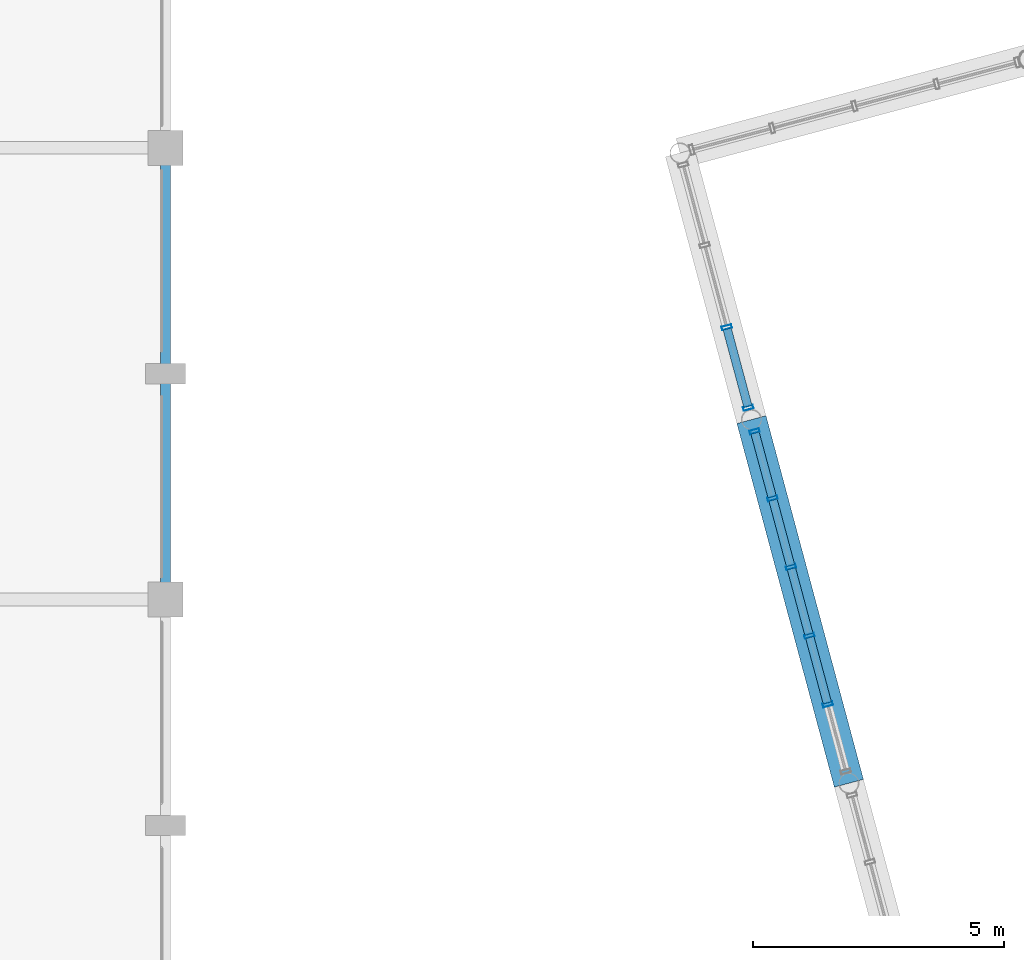
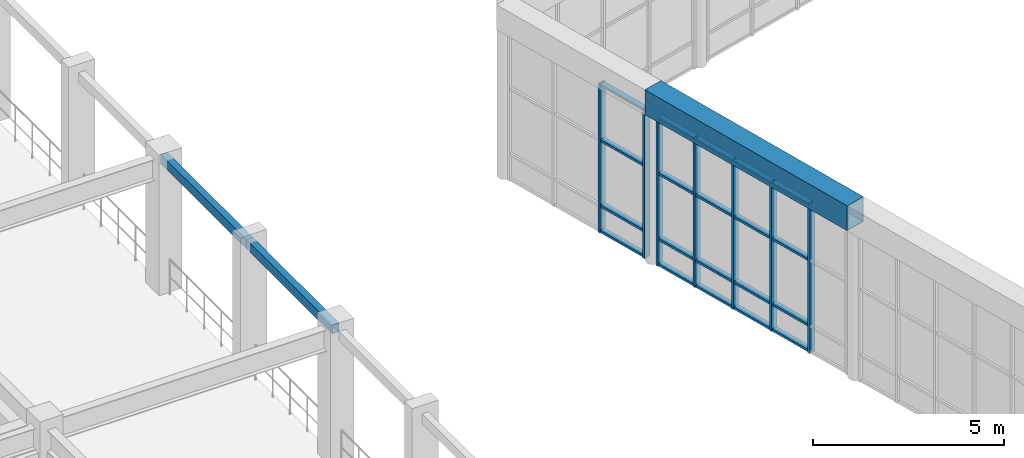
# One storey, part 24 of 55: 27 members, 3 beams, 2 elements without a shape of their own.
"""IFC4 building model written with IfcOpenShell, lengths in metres."""

from ifc_helpers import new_model, si_unit, direction, frame, origin, origin_2d, place, context, subcontext, project, spatial, hollow_rectangle, extrude, material, layer, layer_set, material_profile, profile_set, type_object, element, aggregate, save


model = new_model("IFC4")

# Units and contexts
model_context = context("Model", 3, precision=1e-05, world=origin(), true_north=direction((0.0, 1.0)))
body_context = subcontext(model_context, "Body", "Model", "MODEL_VIEW")
ifc_project = project(units=[si_unit("LENGTHUNIT", "METRE"), si_unit("AREAUNIT", "SQUARE_METRE"), si_unit("VOLUMEUNIT", "CUBIC_METRE"), si_unit("PLANEANGLEUNIT", "RADIAN"), si_unit("MASSUNIT", "GRAM", prefix="KILO")], contexts=[model_context])

# Site, building, storey
site_placement = place(None, origin())
site = spatial("IfcSite", under=ifc_project, at=site_placement, CompositionType="ELEMENT")
building_placement = place(site_placement, origin())
building = spatial("IfcBuilding", under=site, at=building_placement, Name="Ventoquebrada Cableway Terminal", CompositionType="ELEMENT")
storey_placement = place(building_placement, frame((0.0, 0.0, 14.39990234375)))
storey = spatial("IfcBuildingStorey", under=building, at=storey_placement, Name="L03", CompositionType="ELEMENT", Elevation=14.39990234375)

# Curtain wall, members
ifc_material_1 = material(Name="Anodized thermally-broken aluminium", Category="aluminium")
ifc_layer_1 = layer(ifc_material_1, 0.159912109375)
ifc_layer_set_1 = layer_set([ifc_layer_1], Name="Anodized thermally-broken aluminium")
curtain_wall_type_1 = type_object("IfcCurtainWallType", Name="CW-T44", PredefinedType="USERDEFINED", material=ifc_layer_set_1)
curtain_wall_1_placement = place(storey_placement, origin())
curtain_wall_1 = element("IfcCurtainWall", 1, at=curtain_wall_1_placement, inside=storey, type_object=curtain_wall_type_1, Name="Unitised glazed curtain wall CW-127", ObjectType="UNITISED CURTAIN WALL", PredefinedType="USERDEFINED")
ifc_material_profile_1 = material_profile(ifc_material_1, hollow_rectangle(XDim=0.074951171875, YDim=0.199951171875, WallThickness=0.00439453125, at=origin_2d()), Name="CW-MUL-75X200")
ifc_profile_set_1 = profile_set([ifc_material_profile_1], Name="Anodized thermally-broken aluminium")
member_type_1 = type_object("IfcMemberType", Name="CWM-02", PredefinedType="MULLION", material=ifc_profile_set_1)
member_1_placement = place(storey_placement, frame((46.735107421875, 89.35107421875, -0.0078125), z_axis=(0.0, 0.0, 1.0), x_axis=(0.258734751187, -0.965948408834, 0.0)))
member_1 = element("IfcMember", 2, at=member_1_placement, type_object=member_type_1, Name="Curtain wall mullion FML-0616", PredefinedType="MULLION", context=body_context, shape_type="SweptSolid", body=[
    extrude(hollow_rectangle(XDim=0.074951171875, YDim=0.199951171875, WallThickness=0.00439453125, at=origin_2d()), origin(), (0.0, 0.0, 1.0), 4.762939453125),
])
member_2_placement = place(storey_placement, frame((47.093017578125, 88.01611328125, -0.0078125), z_axis=(0.0, 0.0, 1.0), x_axis=(0.258734751187, -0.965948408834, 0.0)))
member_2 = element("IfcMember", 3, at=member_2_placement, type_object=member_type_1, Name="Curtain wall mullion FML-0617", PredefinedType="MULLION", context=body_context, shape_type="SweptSolid", body=[
    extrude(hollow_rectangle(XDim=0.074951171875, YDim=0.199951171875, WallThickness=0.00439453125, at=origin_2d()), origin(), (0.0, 0.0, 1.0), 4.762939453125),
])
member_3_placement = place(storey_placement, frame((47.458984375, 86.64794921875, -0.0078125), z_axis=(0.0, 0.0, 1.0), x_axis=(0.258734751187, -0.965948408834, 0.0)))
member_3 = element("IfcMember", 4, at=member_3_placement, type_object=member_type_1, Name="Curtain wall mullion FML-0618", PredefinedType="MULLION", context=body_context, shape_type="SweptSolid", body=[
    extrude(hollow_rectangle(XDim=0.074951171875, YDim=0.199951171875, WallThickness=0.00439453125, at=origin_2d()), origin(), (0.0, 0.0, 1.0), 4.762939453125),
])
member_4_placement = place(storey_placement, frame((47.825927734375, 85.279052734375, -0.0078125), z_axis=(0.0, 0.0, 1.0), x_axis=(0.258734751187, -0.965948408834, 0.0)))
member_4 = element("IfcMember", 5, at=member_4_placement, type_object=member_type_1, Name="Curtain wall mullion FML-0619", PredefinedType="MULLION", context=body_context, shape_type="SweptSolid", body=[
    extrude(hollow_rectangle(XDim=0.074951171875, YDim=0.199951171875, WallThickness=0.00439453125, at=origin_2d()), origin(), (0.0, 0.0, 1.0), 4.762939453125),
])
member_5_placement = place(storey_placement, frame((48.19189453125, 83.910888671875, -0.0078125), z_axis=(0.0, 0.0, 1.0), x_axis=(0.258734751187, -0.965948408834, 0.0)))
member_5 = element("IfcMember", 6, at=member_5_placement, type_object=member_type_1, Name="Curtain wall mullion FML-0620", PredefinedType="MULLION", context=body_context, shape_type="SweptSolid", body=[
    extrude(hollow_rectangle(XDim=0.074951171875, YDim=0.199951171875, WallThickness=0.00439453125, at=origin_2d()), origin(), (0.0, 0.0, 1.0), 4.762939453125),
])

ifc_layer_2 = layer(ifc_material_1, 0.159912109375)
ifc_layer_set_2 = layer_set([ifc_layer_2], Name="Anodized thermally-broken aluminium")
curtain_wall_type_2 = type_object("IfcCurtainWallType", Name="CW-T43", PredefinedType="USERDEFINED", material=ifc_layer_set_2)
curtain_wall_2_placement = place(storey_placement, origin())
curtain_wall_2 = element("IfcCurtainWall", 7, at=curtain_wall_2_placement, inside=storey, type_object=curtain_wall_type_2, Name="Unitised glazed curtain wall CW-128", ObjectType="UNITISED CURTAIN WALL", PredefinedType="USERDEFINED")
member_6_placement = place(storey_placement, frame((46.179931640625, 91.424072265625, -0.0078125), z_axis=(0.0, 0.0, 1.0), x_axis=(0.258701033069, -0.965957439792, 0.0)))
member_6 = element("IfcMember", 8, at=member_6_placement, type_object=member_type_1, Name="Curtain wall mullion FML-0624", PredefinedType="MULLION", context=body_context, shape_type="SweptSolid", body=[
    extrude(hollow_rectangle(XDim=0.074951171875, YDim=0.199951171875, WallThickness=0.00439453125, at=origin_2d()), origin(), (0.0, 0.0, 1.0), 4.762939453125),
])
member_7_placement = place(storey_placement, frame((46.60888671875, 89.821044921875, -0.0078125), z_axis=(0.0, 0.0, 1.0), x_axis=(0.258701033069, -0.965957439792, 0.0)))
member_7 = element("IfcMember", 9, at=member_7_placement, type_object=member_type_1, Name="Curtain wall mullion FML-0625", PredefinedType="MULLION", context=body_context, shape_type="SweptSolid", body=[
    extrude(hollow_rectangle(XDim=0.074951171875, YDim=0.199951171875, WallThickness=0.00439453125, at=origin_2d()), origin(), (0.0, 0.0, 1.0), 4.762939453125),
])

# Member
ifc_material_profile_2 = material_profile(ifc_material_1, hollow_rectangle(XDim=0.074951171875, YDim=0.169921875, WallThickness=0.00439453125, at=origin_2d()), Name="CW-TRN-75X170")
ifc_profile_set_2 = profile_set([ifc_material_profile_2], Name="Anodized thermally-broken aluminium")
member_type_2 = type_object("IfcMemberType", Name="CWT-03", PredefinedType="USERDEFINED", material=ifc_profile_set_2)
member_8_placement = place(storey_placement, frame((46.742919921875, 89.320068359375, 0.03515625), z_axis=(0.258989366825, -0.965880172626, 0.0), x_axis=(0.0, 0.0, 1.0)))
member_8 = element("IfcMember", 10, at=member_8_placement, type_object=member_type_2, Name="Curtain wall transom FTR-1824", ObjectType="TRANSOM", PredefinedType="USERDEFINED", context=body_context, shape_type="SweptSolid", body=[
    extrude(hollow_rectangle(XDim=0.074951171875, YDim=0.169921875, WallThickness=0.00439453125, at=origin_2d()), origin(), (0.0, 0.0, 1.0), 1.31689453125),
])

member_9_placement = place(storey_placement, frame((46.742919921875, 89.320068359375, 0.85009765625), z_axis=(0.258989366825, -0.965880172626, 0.0), x_axis=(0.0, 0.0, 1.0)))
member_9 = element("IfcMember", 11, at=member_9_placement, type_object=member_type_2, Name="Curtain wall transom FTR-1825", ObjectType="TRANSOM", PredefinedType="USERDEFINED", context=body_context, shape_type="SweptSolid", body=[
    extrude(hollow_rectangle(XDim=0.074951171875, YDim=0.169921875, WallThickness=0.00439453125, at=origin_2d()), origin(), (0.0, 0.0, 1.0), 1.31689453125),
])

member_10_placement = place(storey_placement, frame((46.742919921875, 89.320068359375, 2.945068359375), z_axis=(0.258989366825, -0.965880172626, 0.0), x_axis=(0.0, 0.0, 1.0)))
member_10 = element("IfcMember", 12, at=member_10_placement, type_object=member_type_2, Name="Curtain wall transom FTR-1826", ObjectType="TRANSOM", PredefinedType="USERDEFINED", context=body_context, shape_type="SweptSolid", body=[
    extrude(hollow_rectangle(XDim=0.074951171875, YDim=0.169921875, WallThickness=0.00439453125, at=origin_2d()), origin(), (0.0, 0.0, 1.0), 1.31689453125),
])

member_11_placement = place(storey_placement, frame((46.742919921875, 89.320068359375, 4.715087890625), z_axis=(0.258989366825, -0.965880172626, 0.0), x_axis=(0.0, 0.0, 1.0)))
member_11 = element("IfcMember", 13, at=member_11_placement, type_object=member_type_2, Name="Curtain wall transom FTR-1827", ObjectType="TRANSOM", PredefinedType="USERDEFINED", context=body_context, shape_type="SweptSolid", body=[
    extrude(hollow_rectangle(XDim=0.074951171875, YDim=0.169921875, WallThickness=0.00439453125, at=origin_2d()), origin(), (0.0, 0.0, 1.0), 1.31689453125),
])

member_12_placement = place(storey_placement, frame((47.10107421875, 87.985107421875, 0.03515625), z_axis=(0.258730068632, -0.96594966307, 0.0), x_axis=(0.0, 0.0, 1.0)))
member_12 = element("IfcMember", 14, at=member_12_placement, type_object=member_type_2, Name="Curtain wall transom FTR-1828", ObjectType="TRANSOM", PredefinedType="USERDEFINED", context=body_context, shape_type="SweptSolid", body=[
    extrude(hollow_rectangle(XDim=0.074951171875, YDim=0.169921875, WallThickness=0.00439453125, at=origin_2d()), origin(), (0.0, 0.0, 1.0), 1.352294921875),
])

member_13_placement = place(storey_placement, frame((47.10107421875, 87.985107421875, 0.85009765625), z_axis=(0.258730068632, -0.96594966307, 0.0), x_axis=(0.0, 0.0, 1.0)))
member_13 = element("IfcMember", 15, at=member_13_placement, type_object=member_type_2, Name="Curtain wall transom FTR-1829", ObjectType="TRANSOM", PredefinedType="USERDEFINED", context=body_context, shape_type="SweptSolid", body=[
    extrude(hollow_rectangle(XDim=0.074951171875, YDim=0.169921875, WallThickness=0.00439453125, at=origin_2d()), origin(), (0.0, 0.0, 1.0), 1.352294921875),
])

member_14_placement = place(storey_placement, frame((47.10107421875, 87.985107421875, 2.945068359375), z_axis=(0.258730068632, -0.96594966307, 0.0), x_axis=(0.0, 0.0, 1.0)))
member_14 = element("IfcMember", 16, at=member_14_placement, type_object=member_type_2, Name="Curtain wall transom FTR-1830", ObjectType="TRANSOM", PredefinedType="USERDEFINED", context=body_context, shape_type="SweptSolid", body=[
    extrude(hollow_rectangle(XDim=0.074951171875, YDim=0.169921875, WallThickness=0.00439453125, at=origin_2d()), origin(), (0.0, 0.0, 1.0), 1.352294921875),
])

member_15_placement = place(storey_placement, frame((47.10107421875, 87.985107421875, 4.715087890625), z_axis=(0.258730068632, -0.96594966307, 0.0), x_axis=(0.0, 0.0, 1.0)))
member_15 = element("IfcMember", 17, at=member_15_placement, type_object=member_type_2, Name="Curtain wall transom FTR-1831", ObjectType="TRANSOM", PredefinedType="USERDEFINED", context=body_context, shape_type="SweptSolid", body=[
    extrude(hollow_rectangle(XDim=0.074951171875, YDim=0.169921875, WallThickness=0.00439453125, at=origin_2d()), origin(), (0.0, 0.0, 1.0), 1.352294921875),
])

member_16_placement = place(storey_placement, frame((47.468017578125, 86.615966796875, 0.03515625), z_axis=(0.258281322755, -0.966069748163, 0.0), x_axis=(0.0, 0.0, 1.0)))
member_16 = element("IfcMember", 18, at=member_16_placement, type_object=member_type_2, Name="Curtain wall transom FTR-1832", ObjectType="TRANSOM", PredefinedType="USERDEFINED", context=body_context, shape_type="SweptSolid", body=[
    extrude(hollow_rectangle(XDim=0.074951171875, YDim=0.169921875, WallThickness=0.00439453125, at=origin_2d()), origin(), (0.0, 0.0, 1.0), 1.350830078125),
])

member_17_placement = place(storey_placement, frame((47.468017578125, 86.615966796875, 0.85009765625), z_axis=(0.258281322755, -0.966069748163, 0.0), x_axis=(0.0, 0.0, 1.0)))
member_17 = element("IfcMember", 19, at=member_17_placement, type_object=member_type_2, Name="Curtain wall transom FTR-1833", ObjectType="TRANSOM", PredefinedType="USERDEFINED", context=body_context, shape_type="SweptSolid", body=[
    extrude(hollow_rectangle(XDim=0.074951171875, YDim=0.169921875, WallThickness=0.00439453125, at=origin_2d()), origin(), (0.0, 0.0, 1.0), 1.350830078125),
])

member_18_placement = place(storey_placement, frame((47.468017578125, 86.615966796875, 2.945068359375), z_axis=(0.258281322755, -0.966069748163, 0.0), x_axis=(0.0, 0.0, 1.0)))
member_18 = element("IfcMember", 20, at=member_18_placement, type_object=member_type_2, Name="Curtain wall transom FTR-1834", ObjectType="TRANSOM", PredefinedType="USERDEFINED", context=body_context, shape_type="SweptSolid", body=[
    extrude(hollow_rectangle(XDim=0.074951171875, YDim=0.169921875, WallThickness=0.00439453125, at=origin_2d()), origin(), (0.0, 0.0, 1.0), 1.350830078125),
])

member_19_placement = place(storey_placement, frame((47.468017578125, 86.615966796875, 4.715087890625), z_axis=(0.258281322755, -0.966069748163, 0.0), x_axis=(0.0, 0.0, 1.0)))
member_19 = element("IfcMember", 21, at=member_19_placement, type_object=member_type_2, Name="Curtain wall transom FTR-1835", ObjectType="TRANSOM", PredefinedType="USERDEFINED", context=body_context, shape_type="SweptSolid", body=[
    extrude(hollow_rectangle(XDim=0.074951171875, YDim=0.169921875, WallThickness=0.00439453125, at=origin_2d()), origin(), (0.0, 0.0, 1.0), 1.350830078125),
])

member_20_placement = place(storey_placement, frame((47.833984375, 85.248046875, 0.03515625), z_axis=(0.258898521832, -0.965904527059, 0.0), x_axis=(0.0, 0.0, 1.0)))
member_20 = element("IfcMember", 22, at=member_20_placement, type_object=member_type_2, Name="Curtain wall transom FTR-1836", ObjectType="TRANSOM", PredefinedType="USERDEFINED", context=body_context, shape_type="SweptSolid", body=[
    extrude(hollow_rectangle(XDim=0.074951171875, YDim=0.169921875, WallThickness=0.00439453125, at=origin_2d()), origin(), (0.0, 0.0, 1.0), 1.352294921875),
])

member_21_placement = place(storey_placement, frame((47.833984375, 85.248046875, 0.85009765625), z_axis=(0.258898521832, -0.965904527059, 0.0), x_axis=(0.0, 0.0, 1.0)))
member_21 = element("IfcMember", 23, at=member_21_placement, type_object=member_type_2, Name="Curtain wall transom FTR-1837", ObjectType="TRANSOM", PredefinedType="USERDEFINED", context=body_context, shape_type="SweptSolid", body=[
    extrude(hollow_rectangle(XDim=0.074951171875, YDim=0.169921875, WallThickness=0.00439453125, at=origin_2d()), origin(), (0.0, 0.0, 1.0), 1.352294921875),
])

member_22_placement = place(storey_placement, frame((47.833984375, 85.248046875, 2.945068359375), z_axis=(0.258898521832, -0.965904527059, 0.0), x_axis=(0.0, 0.0, 1.0)))
member_22 = element("IfcMember", 24, at=member_22_placement, type_object=member_type_2, Name="Curtain wall transom FTR-1838", ObjectType="TRANSOM", PredefinedType="USERDEFINED", context=body_context, shape_type="SweptSolid", body=[
    extrude(hollow_rectangle(XDim=0.074951171875, YDim=0.169921875, WallThickness=0.00439453125, at=origin_2d()), origin(), (0.0, 0.0, 1.0), 1.352294921875),
])

member_23_placement = place(storey_placement, frame((47.833984375, 85.248046875, 4.715087890625), z_axis=(0.258898521832, -0.965904527059, 0.0), x_axis=(0.0, 0.0, 1.0)))
member_23 = element("IfcMember", 25, at=member_23_placement, type_object=member_type_2, Name="Curtain wall transom FTR-1839", ObjectType="TRANSOM", PredefinedType="USERDEFINED", context=body_context, shape_type="SweptSolid", body=[
    extrude(hollow_rectangle(XDim=0.074951171875, YDim=0.169921875, WallThickness=0.00439453125, at=origin_2d()), origin(), (0.0, 0.0, 1.0), 1.352294921875),
])

aggregate(curtain_wall_1, [member_1, member_2, member_3, member_4, member_5, member_8, member_9, member_10, member_11, member_12, member_13, member_14, member_15, member_16, member_17, member_18, member_19, member_20, member_21, member_22, member_23])

member_24_placement = place(storey_placement, frame((46.18798828125, 91.39208984375, 0.03515625), z_axis=(0.259072825195, -0.965857790384, 0.0), x_axis=(0.0, 0.0, 1.0)))
member_24 = element("IfcMember", 26, at=member_24_placement, type_object=member_type_2, Name="Curtain wall transom FTR-1852", ObjectType="TRANSOM", PredefinedType="USERDEFINED", context=body_context, shape_type="SweptSolid", body=[
    extrude(hollow_rectangle(XDim=0.074951171875, YDim=0.169921875, WallThickness=0.00439453125, at=origin_2d()), origin(), (0.0, 0.0, 1.0), 1.594482421875),
])

member_25_placement = place(storey_placement, frame((46.18798828125, 91.39208984375, 0.85009765625), z_axis=(0.259072825195, -0.965857790384, 0.0), x_axis=(0.0, 0.0, 1.0)))
member_25 = element("IfcMember", 27, at=member_25_placement, type_object=member_type_2, Name="Curtain wall transom FTR-1853", ObjectType="TRANSOM", PredefinedType="USERDEFINED", context=body_context, shape_type="SweptSolid", body=[
    extrude(hollow_rectangle(XDim=0.074951171875, YDim=0.169921875, WallThickness=0.00439453125, at=origin_2d()), origin(), (0.0, 0.0, 1.0), 1.594482421875),
])

member_26_placement = place(storey_placement, frame((46.18798828125, 91.39208984375, 2.945068359375), z_axis=(0.259072825195, -0.965857790384, 0.0), x_axis=(0.0, 0.0, 1.0)))
member_26 = element("IfcMember", 28, at=member_26_placement, type_object=member_type_2, Name="Curtain wall transom FTR-1854", ObjectType="TRANSOM", PredefinedType="USERDEFINED", context=body_context, shape_type="SweptSolid", body=[
    extrude(hollow_rectangle(XDim=0.074951171875, YDim=0.169921875, WallThickness=0.00439453125, at=origin_2d()), origin(), (0.0, 0.0, 1.0), 1.594482421875),
])

member_27_placement = place(storey_placement, frame((46.18798828125, 91.39208984375, 4.715087890625), z_axis=(0.259072825195, -0.965857790384, 0.0), x_axis=(0.0, 0.0, 1.0)))
member_27 = element("IfcMember", 29, at=member_27_placement, type_object=member_type_2, Name="Curtain wall transom FTR-1855", ObjectType="TRANSOM", PredefinedType="USERDEFINED", context=body_context, shape_type="SweptSolid", body=[
    extrude(hollow_rectangle(XDim=0.074951171875, YDim=0.169921875, WallThickness=0.00439453125, at=origin_2d()), origin(), (0.0, 0.0, 1.0), 1.594482421875),
])

aggregate(curtain_wall_2, [member_6, member_7, member_24, member_25, member_26, member_27])

# Beams
ifc_material_2 = material(Name="Steel ASTM A572 Grade 50", Category="steel")
ifc_material_profile_3 = material_profile(ifc_material_2, hollow_rectangle(XDim=0.60009765625, YDim=0.800048828125, WallThickness=0.02490234375, at=origin_2d()), Name="BOX600X800X25")
ifc_profile_set_3 = profile_set([ifc_material_profile_3], Name="Steel ASTM A572 Grade 50")
beam_type_1 = type_object("IfcBeamType", Name="RNG-ST01", PredefinedType="BEAM", material=ifc_profile_set_3)
beam_placement = place(storey_placement, frame((48.613037109375, 82.341064453125, 5.2001953125), z_axis=(-0.258776761059, 0.965937155273, 0.0), x_axis=(-0.965937155273, -0.258776761059, 0.0)))
element("IfcBeam", 30, at=beam_placement, inside=storey, type_object=beam_type_1, Name="Gridshell compression-tension ring beam FBM-1130", PredefinedType="BEAM", context=body_context, shape_type="SweptSolid", body=[
    extrude(hollow_rectangle(XDim=0.60009765625, YDim=0.800048828125, WallThickness=0.02490234375, at=origin_2d()), origin(), (0.0, 0.0, 1.0), 7.500244140625),
])
ifc_material_3 = material(Name="Steel ASTM A500 Grade C", Category="steel")
ifc_material_profile_4 = material_profile(ifc_material_3, hollow_rectangle(XDim=0.199951171875, YDim=0.300048828125, WallThickness=0.012451171875, at=origin_2d()), Name="RHS300X200X12.5")
ifc_profile_set_4 = profile_set([ifc_material_profile_4], Name="Steel ASTM A500 Grade C")
beam_type_2 = type_object("IfcBeamType", Name="SP-ST02", PredefinedType="SPANDREL", material=ifc_profile_set_4)
for number, where, z_axis, x_axis, name in (
    (31, (35.0, 86.0, 4.080078125), (0.0, 1.0, 0.0), (-1.0, 0.0, 0.0), "Perimeter spandrel beam FBM-0525"),
    (32, (35.0, 90.5, 4.080078125), (0.0, 1.0, 0.0), (-1.0, 0.0, 0.0), "Perimeter spandrel beam FBM-0526"),
):
    element("IfcBeam", number, at=place(storey_placement, frame(where, z_axis=z_axis, x_axis=x_axis)), inside=storey, type_object=beam_type_2, Name=name, PredefinedType="SPANDREL", context=body_context, shape_type="SweptSolid", body=[
        extrude(hollow_rectangle(XDim=0.199951171875, YDim=0.300048828125, WallThickness=0.012451171875, at=origin_2d()), origin(), (0.0, 0.0, 1.0), 4.5),
    ])

save(model, "model.ifc")
